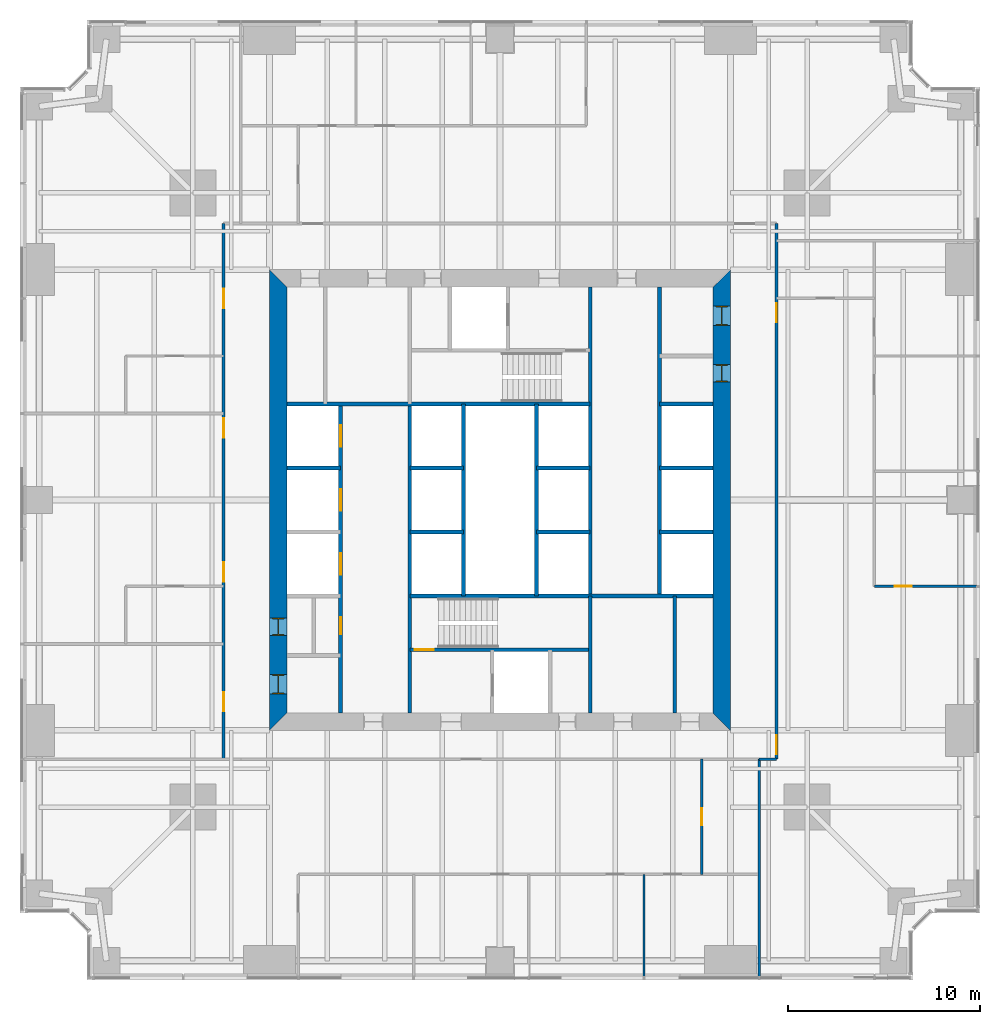
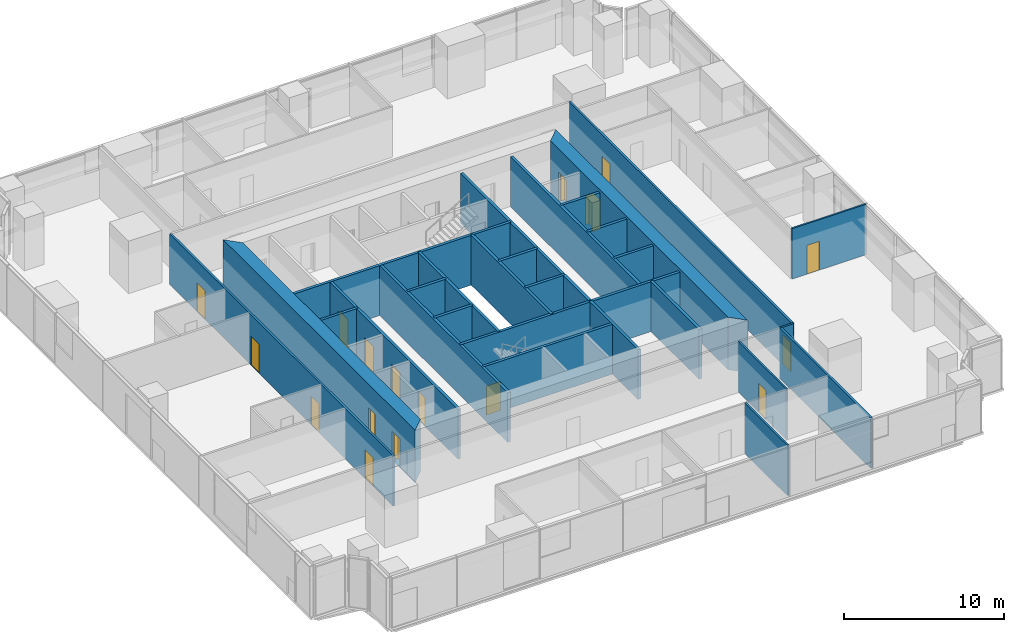
# One storey, part 10 of 14: 28 walls, 17 doors, 17 openings.
"""IFC4 building model written with IfcOpenShell, lengths in metres."""

from ifc_helpers import new_model, si_unit, direction, frame, frame_2d, origin, place, context, subcontext, project, spatial, polyline, rectangle, outline, extrude, material, layer, layer_set, type_object, element, fill, save


model = new_model("IFC4")

# Units and contexts
model_context = context("Model", 3, precision=1e-05, world=origin(), true_north=direction((0.0, 1.0)))
body_context = subcontext(model_context, "Body", "Model", "MODEL_VIEW")
ifc_project = project(units=[si_unit("LENGTHUNIT", "METRE"), si_unit("AREAUNIT", "SQUARE_METRE"), si_unit("VOLUMEUNIT", "CUBIC_METRE"), si_unit("PLANEANGLEUNIT", "RADIAN"), si_unit("MASSUNIT", "GRAM", prefix="KILO")], contexts=[model_context])

# Site, building, storey
site_placement = place(None, origin())
site = spatial("IfcSite", under=ifc_project, at=site_placement, CompositionType="ELEMENT")
building_placement = place(site_placement, origin())
building = spatial("IfcBuilding", under=site, at=building_placement, Name="Fenwick Lantern Interchange", CompositionType="ELEMENT")
storey_placement = place(building_placement, frame((0.0, 0.0, 83.0)))
storey = spatial("IfcBuildingStorey", under=building, at=storey_placement, Name="L19", CompositionType="ELEMENT", Elevation=83.0)

# Wall, openings, doors
ifc_material_1 = material(Name="Concrete masonry ASTM C90 Grade N", Category="masonry")
ifc_layer_1 = layer(ifc_material_1, 0.199951171875)
ifc_layer_set_1 = layer_set([ifc_layer_1], Name="Concrete masonry ASTM C90 Grade N")
wall_type_1 = type_object("IfcWallType", Name="CORE PARTITION 200", PredefinedType="PARTITIONING", material=ifc_layer_set_1)
wall_1_placement = place(storey_placement, frame((16.699951171875, 13.89990234375, 0.0), z_axis=(0.0, 0.0, 1.0), x_axis=(0.0, 1.0, 0.0)))
wall_1 = element("IfcWall", 1, at=wall_1_placement, inside=storey, type_object=wall_type_1, Name="L19/W/CORES/a", PredefinedType="PARTITIONING", context=body_context, shape_type="SweptSolid", body=[
    extrude(rectangle(XDim=16.10009765625, YDim=0.199951171875, at=frame_2d((8.050048828125, 0.0))), origin(), (0.0, 0.0, 1.0), 3.800048828125),
])
opening_1_placement = place(wall_1_placement, frame((4.10009765625, 0.0, 0.0)))
opening_1 = element("IfcOpeningElement", 2, at=opening_1_placement, cuts=wall_1, Name="Opening L19-D008", PredefinedType="OPENING", context=body_context, shape_type="SweptSolid", body=[
    extrude(rectangle(XDim=0.89990234375, YDim=2.199951171875, at=frame_2d((0.449951171875, 1.10009765625))), frame((0.0, 0.10986328125, 0.0), z_axis=(0.0, -1.0, 0.0), x_axis=(1.0, 0.0, 0.0)), (0.0, 0.0, 1.0), 0.219970703125),
])
opening_2_placement = place(wall_1_placement, frame((7.216552734375, 0.0, 0.0)))
opening_2 = element("IfcOpeningElement", 3, at=opening_2_placement, cuts=wall_1, Name="Opening LD-W1-1", PredefinedType="OPENING", context=body_context, shape_type="SweptSolid", body=[
    extrude(rectangle(XDim=1.10009765625, YDim=2.199951171875, at=frame_2d((0.550048828125, 1.10009765625))), frame((0.0, 0.10986328125, 0.0), z_axis=(0.0, -1.0, 0.0), x_axis=(1.0, 0.0, 0.0)), (0.0, 0.0, 1.0), 0.219970703125),
])
opening_3_placement = place(wall_1_placement, frame((10.550048828125, 0.0, 0.0)))
opening_3 = element("IfcOpeningElement", 4, at=opening_3_placement, cuts=wall_1, Name="Opening LD-W1-2", PredefinedType="OPENING", context=body_context, shape_type="SweptSolid", body=[
    extrude(rectangle(XDim=1.10009765625, YDim=2.199951171875, at=frame_2d((0.550048828125, 1.10009765625))), frame((0.0, 0.10986328125, 0.0), z_axis=(0.0, -1.0, 0.0), x_axis=(1.0, 0.0, 0.0)), (0.0, 0.0, 1.0), 0.219970703125),
])
opening_4_placement = place(wall_1_placement, frame((13.88330078125, 0.0, 0.0)))
opening_4 = element("IfcOpeningElement", 5, at=opening_4_placement, cuts=wall_1, Name="Opening LD-W1-3", PredefinedType="OPENING", context=body_context, shape_type="SweptSolid", body=[
    extrude(rectangle(XDim=1.10009765625, YDim=2.199951171875, at=frame_2d((0.550048828125, 1.10009765625))), frame((0.0, 0.10986328125, 0.0), z_axis=(0.0, -1.0, 0.0), x_axis=(1.0, 0.0, 0.0)), (0.0, 0.0, 1.0), 0.219970703125),
])
ifc_material_2 = material(Name="Steel door and frame", Category="steel")
door_type_1 = type_object("IfcDoorType", Name="LIFT LANDING DOOR 1100 X 2200", OperationType="DOUBLE_DOOR_SLIDING", PredefinedType="DOOR", material=ifc_material_2)
door_1_placement = place(opening_2_placement, origin())
door_1 = element("IfcDoor", 6, at=door_1_placement, inside=storey, type_object=door_type_1, Name="Lift landing door W1-1", OperationType="DOUBLE_DOOR_SLIDING", OverallHeight=2.199951171875, OverallWidth=1.10009765625, PredefinedType="DOOR", context=body_context, shape_type="SweptSolid", body=[
    extrude(rectangle(XDim=1.10009765625, YDim=2.199951171875, at=frame_2d((0.550048828125, 1.10009765625))), frame((0.0, 0.02490234375, 0.0), z_axis=(0.0, -1.0, 0.0), x_axis=(1.0, 0.0, 0.0)), (0.0, 0.0, 1.0), 0.050048828125),
])
fill(opening_2, door_1)
door_2_placement = place(opening_3_placement, origin())
door_2 = element("IfcDoor", 7, at=door_2_placement, inside=storey, type_object=door_type_1, Name="Lift landing door W1-2", OperationType="DOUBLE_DOOR_SLIDING", OverallHeight=2.199951171875, OverallWidth=1.10009765625, PredefinedType="DOOR", context=body_context, shape_type="SweptSolid", body=[
    extrude(rectangle(XDim=1.10009765625, YDim=2.199951171875, at=frame_2d((0.550048828125, 1.10009765625))), frame((0.0, 0.02490234375, 0.0), z_axis=(0.0, -1.0, 0.0), x_axis=(1.0, 0.0, 0.0)), (0.0, 0.0, 1.0), 0.050048828125),
])
fill(opening_3, door_2)
door_3_placement = place(opening_4_placement, origin())
door_3 = element("IfcDoor", 8, at=door_3_placement, inside=storey, type_object=door_type_1, Name="Lift landing door W1-3", OperationType="DOUBLE_DOOR_SLIDING", OverallHeight=2.199951171875, OverallWidth=1.10009765625, PredefinedType="DOOR", context=body_context, shape_type="SweptSolid", body=[
    extrude(rectangle(XDim=1.10009765625, YDim=2.199951171875, at=frame_2d((0.550048828125, 1.10009765625))), frame((0.0, 0.02490234375, 0.0), z_axis=(0.0, -1.0, 0.0), x_axis=(1.0, 0.0, 0.0)), (0.0, 0.0, 1.0), 0.050048828125),
])
fill(opening_4, door_3)
door_type_2 = type_object("IfcDoorType", Name="SERVICE DOOR 900 X 2200", OperationType="SINGLE_SWING_LEFT", PredefinedType="DOOR", material=ifc_material_2)
door_4_placement = place(opening_1_placement, origin())
door_4 = element("IfcDoor", 9, at=door_4_placement, inside=storey, type_object=door_type_2, Name="Service door", OperationType="SINGLE_SWING_LEFT", OverallHeight=2.199951171875, OverallWidth=0.89990234375, PredefinedType="DOOR", context=body_context, shape_type="SweptSolid", body=[
    extrude(rectangle(XDim=0.89990234375, YDim=2.199951171875, at=frame_2d((0.449951171875, 1.10009765625))), frame((0.0, 0.02490234375, 0.0), z_axis=(0.0, -1.0, 0.0), x_axis=(1.0, 0.0, 0.0)), (0.0, 0.0, 1.0), 0.050048828125),
])
fill(opening_1, door_4)

# Walls
for number, where, z_axis, x_axis, name in (
    (10, (13.89990234375, 26.666748046875, 0.0), (0.0, 0.0, 1.0), (1.0, 0.0, 0.0), "L19/W/CORES/d2"),
    (11, (20.300048828125, 23.333251953125, 0.0), (0.0, 0.0, 1.0), (1.0, 0.0, 0.0), "L19/W/CORES/e1"),
    (12, (20.300048828125, 26.666748046875, 0.0), (0.0, 0.0, 1.0), (1.0, 0.0, 0.0), "L19/W/CORES/e2"),
):
    element("IfcWall", number, at=place(storey_placement, frame(where, z_axis=z_axis, x_axis=x_axis)), inside=storey, type_object=wall_type_1, Name=name, PredefinedType="PARTITIONING", context=body_context, shape_type="SweptSolid", body=[
        extrude(rectangle(XDim=2.800048828125, YDim=0.199951171875, at=frame_2d((1.39990234375, 0.0))), origin(), (0.0, 0.0, 1.0), 3.800048828125),
    ])
wall_2_placement = place(storey_placement, frame((23.10009765625, 20.0, 0.0), z_axis=(0.0, 0.0, 1.0), x_axis=(0.0, 1.0, 0.0)))
element("IfcWall", 13, at=wall_2_placement, inside=storey, type_object=wall_type_1, Name="L19/W/CORES/e3", PredefinedType="PARTITIONING", context=body_context, shape_type="SweptSolid", body=[
    extrude(rectangle(XDim=10.0, YDim=0.199951171875, at=frame_2d((5.0, 0.0))), origin(), (0.0, 0.0, 1.0), 3.800048828125),
])
wall_3_placement = place(storey_placement, frame((34.10009765625, 13.89990234375, 0.0), z_axis=(0.0, 0.0, 1.0), x_axis=(0.0, 1.0, 0.0)))
element("IfcWall", 14, at=wall_3_placement, inside=storey, type_object=wall_type_1, Name="L19/W/CORES/i2", PredefinedType="PARTITIONING", context=body_context, shape_type="SweptSolid", body=[
    extrude(rectangle(XDim=6.10009765625, YDim=0.199951171875, at=frame_2d((3.050048828125, 0.0))), origin(), (0.0, 0.0, 1.0), 3.800048828125),
])
wall_4_placement = place(storey_placement, frame((33.300048828125, 36.10009765625, 0.0), z_axis=(0.0, 0.0, 1.0), x_axis=(0.0, -1.0, 0.0)))
element("IfcWall", 15, at=wall_4_placement, inside=storey, type_object=wall_type_1, Name="L19/W/COREN/a", PredefinedType="PARTITIONING", context=body_context, shape_type="SweptSolid", body=[
    extrude(rectangle(XDim=16.10009765625, YDim=0.199951171875, at=frame_2d((8.050048828125, 0.0))), origin(), (0.0, 0.0, 1.0), 3.800048828125),
])
for number, where, z_axis, x_axis, name in (
    (16, (36.10009765625, 30.0, 0.0), (0.0, 0.0, 1.0), (-1.0, 0.0, 0.0), "L19/W/COREN/c2"),
    (17, (36.10009765625, 26.666748046875, 0.0), (0.0, 0.0, 1.0), (-1.0, 0.0, 0.0), "L19/W/COREN/d1"),
    (18, (36.10009765625, 23.333251953125, 0.0), (0.0, 0.0, 1.0), (-1.0, 0.0, 0.0), "L19/W/COREN/d2"),
    (19, (29.699951171875, 26.666748046875, 0.0), (0.0, 0.0, 1.0), (-1.0, 0.0, 0.0), "L19/W/COREN/e1"),
    (20, (29.699951171875, 23.333251953125, 0.0), (0.0, 0.0, 1.0), (-1.0, 0.0, 0.0), "L19/W/COREN/e2"),
):
    element("IfcWall", number, at=place(storey_placement, frame(where, z_axis=z_axis, x_axis=x_axis)), inside=storey, type_object=wall_type_1, Name=name, PredefinedType="PARTITIONING", context=body_context, shape_type="SweptSolid", body=[
        extrude(rectangle(XDim=2.800048828125, YDim=0.199951171875, at=frame_2d((1.39990234375, 0.0))), origin(), (0.0, 0.0, 1.0), 3.800048828125),
    ])
wall_5_placement = place(storey_placement, frame((26.89990234375, 30.0, 0.0), z_axis=(0.0, 0.0, 1.0), x_axis=(0.0, -1.0, 0.0)))
element("IfcWall", 21, at=wall_5_placement, inside=storey, type_object=wall_type_1, Name="L19/W/COREN/e3", PredefinedType="PARTITIONING", context=body_context, shape_type="SweptSolid", body=[
    extrude(rectangle(XDim=10.0, YDim=0.199951171875, at=frame_2d((5.0, 0.0))), origin(), (0.0, 0.0, 1.0), 3.800048828125),
])

# Wall, openings, doors
ifc_material_3 = material(Name="Concrete f'c 70 MPa", Category="concrete")
ifc_layer_2 = layer(ifc_material_3, 0.89990234375)
ifc_layer_set_2 = layer_set([ifc_layer_2], Name="CORE WALL 900")
wall_type_2 = type_object("IfcWallType", Name="CORE WALL 900", PredefinedType="SHEAR", material=ifc_layer_set_2)
wall_6_placement = place(storey_placement, frame((36.550048828125, 13.89990234375, 0.0), z_axis=(0.0, 0.0, 1.0), x_axis=(0.0, 1.0, 0.0)))
wall_6 = element("IfcWall", 22, at=wall_6_placement, inside=storey, type_object=wall_type_2, Name="L19/CORE/E", PredefinedType="SHEAR", context=body_context, shape_type="SweptSolid", body=[
    extrude(outline(polyline([(-0.89990234375, -0.449951171875), (23.10009765625, -0.449951171875), (22.199951171875, 0.449951171875), (0.0, 0.449951171875), (-0.89990234375, -0.449951171875)])), origin(), (0.0, 0.0, 1.0), 4.0),
])
opening_5_placement = place(wall_6_placement, frame((20.199951171875, 0.0, 0.0)))
opening_5 = element("IfcOpeningElement", 23, at=opening_5_placement, cuts=wall_6, Name="Opening L19-D016", PredefinedType="OPENING", context=body_context, shape_type="SweptSolid", body=[
    extrude(rectangle(XDim=1.0, YDim=2.199951171875, at=frame_2d((0.5, 1.10009765625))), frame((0.0, 0.4599609375, 0.0), z_axis=(0.0, -1.0, 0.0), x_axis=(1.0, 0.0, 0.0)), (0.0, 0.0, 1.0), 0.919921875),
])
opening_6_placement = place(wall_6_placement, frame((17.25, 0.0, 0.0)))
opening_6 = element("IfcOpeningElement", 24, at=opening_6_placement, cuts=wall_6, Name="Opening L19-D017", PredefinedType="OPENING", context=body_context, shape_type="SweptSolid", body=[
    extrude(rectangle(XDim=0.89990234375, YDim=2.199951171875, at=frame_2d((0.449951171875, 1.10009765625))), frame((0.0, 0.4599609375, 0.0), z_axis=(0.0, -1.0, 0.0), x_axis=(1.0, 0.0, 0.0)), (0.0, 0.0, 1.0), 0.919921875),
])
door_5_placement = place(opening_6_placement, origin())
door_5 = element("IfcDoor", 25, at=door_5_placement, inside=storey, type_object=door_type_2, Name="Service door", OperationType="SINGLE_SWING_RIGHT", OverallHeight=2.199951171875, OverallWidth=0.89990234375, PredefinedType="DOOR", context=body_context, shape_type="SweptSolid", body=[
    extrude(rectangle(XDim=0.89990234375, YDim=2.199951171875, at=frame_2d((0.449951171875, 1.10009765625))), frame((0.0, 0.02490234375, 0.0), z_axis=(0.0, -1.0, 0.0), x_axis=(1.0, 0.0, 0.0)), (0.0, 0.0, 1.0), 0.050048828125),
    extrude(outline(polyline([(0.0, 0.0), (0.0400390625, 0.0), (0.0400390625, 2.159912109375), (0.85986328125, 2.159912109375), (0.85986328125, 0.0), (0.89990234375, 0.0), (0.89990234375, 2.199951171875), (0.0, 2.199951171875), (0.0, 0.0)])), frame((0.0, 0.300048828125, 0.0), z_axis=(0.0, -1.0, 0.0), x_axis=(1.0, 0.0, 0.0)), (0.0, 0.0, 1.0), 0.60009765625),
])
fill(opening_6, door_5)
ifc_material_4 = material(Name="Hardwood door and steel frame", Category="steel")
door_type_3 = type_object("IfcDoorType", Name="WC DOOR 1000 X 2200", OperationType="SINGLE_SWING_LEFT", PredefinedType="DOOR", material=ifc_material_4)
door_6_placement = place(opening_5_placement, origin())
door_6 = element("IfcDoor", 26, at=door_6_placement, inside=storey, type_object=door_type_3, Name="Wc door", OperationType="SINGLE_SWING_RIGHT", OverallHeight=2.199951171875, OverallWidth=1.0, PredefinedType="DOOR", context=body_context, shape_type="SweptSolid", body=[
    extrude(rectangle(XDim=1.0, YDim=2.199951171875, at=frame_2d((0.5, 1.10009765625))), frame((0.0, 0.02490234375, 0.0), z_axis=(0.0, -1.0, 0.0), x_axis=(1.0, 0.0, 0.0)), (0.0, 0.0, 1.0), 0.050048828125),
    extrude(outline(polyline([(0.0, 0.0), (0.0400390625, 0.0), (0.0400390625, 2.159912109375), (0.9599609375, 2.159912109375), (0.9599609375, 0.0), (1.0, 0.0), (1.0, 2.199951171875), (0.0, 2.199951171875), (0.0, 0.0)])), frame((0.0, 0.300048828125, 0.0), z_axis=(0.0, -1.0, 0.0), x_axis=(1.0, 0.0, 0.0)), (0.0, 0.0, 1.0), 0.60009765625),
])
fill(opening_5, door_6)

wall_7_placement = place(storey_placement, frame((13.449951171875, 36.10009765625, 0.0), z_axis=(0.0, 0.0, 1.0), x_axis=(0.0, -1.0, 0.0)))
wall_7 = element("IfcWall", 27, at=wall_7_placement, inside=storey, type_object=wall_type_2, Name="L19/CORE/W", PredefinedType="SHEAR", context=body_context, shape_type="SweptSolid", body=[
    extrude(outline(polyline([(-0.89990234375, -0.449951171875), (23.10009765625, -0.449951171875), (22.199951171875, 0.449951171875), (0.0, 0.449951171875), (-0.89990234375, -0.449951171875)])), origin(), (0.0, 0.0, 1.0), 4.0),
])
opening_7_placement = place(wall_7_placement, frame((20.199951171875, 0.0, 0.0)))
opening_7 = element("IfcOpeningElement", 28, at=opening_7_placement, cuts=wall_7, Name="Opening L19-D007", PredefinedType="OPENING", context=body_context, shape_type="SweptSolid", body=[
    extrude(rectangle(XDim=1.0, YDim=2.199951171875, at=frame_2d((0.5, 1.10009765625))), frame((0.0, 0.4599609375, 0.0), z_axis=(0.0, -1.0, 0.0), x_axis=(1.0, 0.0, 0.0)), (0.0, 0.0, 1.0), 0.919921875),
])
opening_8_placement = place(wall_7_placement, frame((17.25, 0.0, 0.0)))
opening_8 = element("IfcOpeningElement", 29, at=opening_8_placement, cuts=wall_7, Name="Opening L19-D009", PredefinedType="OPENING", context=body_context, shape_type="SweptSolid", body=[
    extrude(rectangle(XDim=0.89990234375, YDim=2.199951171875, at=frame_2d((0.449951171875, 1.10009765625))), frame((0.0, 0.4599609375, 0.0), z_axis=(0.0, -1.0, 0.0), x_axis=(1.0, 0.0, 0.0)), (0.0, 0.0, 1.0), 0.919921875),
])
door_7_placement = place(opening_8_placement, origin())
door_7 = element("IfcDoor", 30, at=door_7_placement, inside=storey, type_object=door_type_2, Name="Service door", OperationType="SINGLE_SWING_RIGHT", OverallHeight=2.199951171875, OverallWidth=0.89990234375, PredefinedType="DOOR", context=body_context, shape_type="SweptSolid", body=[
    extrude(rectangle(XDim=0.89990234375, YDim=2.199951171875, at=frame_2d((0.449951171875, 1.10009765625))), frame((0.0, 0.02490234375, 0.0), z_axis=(0.0, -1.0, 0.0), x_axis=(1.0, 0.0, 0.0)), (0.0, 0.0, 1.0), 0.050048828125),
    extrude(outline(polyline([(0.0, 0.0), (0.0400390625, 0.0), (0.0400390625, 2.159912109375), (0.85986328125, 2.159912109375), (0.85986328125, 0.0), (0.89990234375, 0.0), (0.89990234375, 2.199951171875), (0.0, 2.199951171875), (0.0, 0.0)])), frame((0.0, 0.300048828125, 0.0), z_axis=(0.0, -1.0, 0.0), x_axis=(1.0, 0.0, 0.0)), (0.0, 0.0, 1.0), 0.60009765625),
])
fill(opening_8, door_7)
door_8_placement = place(opening_7_placement, origin())
door_8 = element("IfcDoor", 31, at=door_8_placement, inside=storey, type_object=door_type_3, Name="Wc door", OperationType="SINGLE_SWING_LEFT", OverallHeight=2.199951171875, OverallWidth=1.0, PredefinedType="DOOR", context=body_context, shape_type="SweptSolid", body=[
    extrude(rectangle(XDim=1.0, YDim=2.199951171875, at=frame_2d((0.5, 1.10009765625))), frame((0.0, 0.02490234375, 0.0), z_axis=(0.0, -1.0, 0.0), x_axis=(1.0, 0.0, 0.0)), (0.0, 0.0, 1.0), 0.050048828125),
    extrude(outline(polyline([(0.0, 0.0), (0.0400390625, 0.0), (0.0400390625, 2.159912109375), (0.9599609375, 2.159912109375), (0.9599609375, 0.0), (1.0, 0.0), (1.0, 2.199951171875), (0.0, 2.199951171875), (0.0, 0.0)])), frame((0.0, 0.300048828125, 0.0), z_axis=(0.0, -1.0, 0.0), x_axis=(1.0, 0.0, 0.0)), (0.0, 0.0, 1.0), 0.60009765625),
])
fill(opening_7, door_8)

# Wall
ifc_material_5 = material(Name="Gypsum board on steel studs, 1 hour", Category="steel")
ifc_layer_3 = layer(ifc_material_5, 0.14990234375)
ifc_layer_set_3 = layer_set([ifc_layer_3], Name="CORRIDOR WALL 150")
wall_type_3 = type_object("IfcWallType", Name="CORRIDOR WALL 150", PredefinedType="PARTITIONING", material=ifc_layer_set_3)
wall_8_placement = place(storey_placement, frame((38.5, 11.5, 0.0), z_axis=(0.0, 0.0, 1.0), x_axis=(1.0, 0.0, 0.0)))
element("IfcWall", 32, at=wall_8_placement, inside=storey, type_object=wall_type_3, Name="L19/W/OFF/E/CWJ", PredefinedType="PARTITIONING", context=body_context, shape_type="SweptSolid", body=[
    extrude(rectangle(XDim=0.89990234375, YDim=0.14990234375, at=frame_2d((0.449951171875, 0.0))), origin(), (0.0, 0.0, 1.0), 3.85009765625),
])

# Wall, openings, doors
wall_9_placement = place(storey_placement, frame((39.39990234375, 11.5, 0.0), z_axis=(0.0, 0.0, 1.0), x_axis=(0.0, 1.0, 0.0)))
wall_9 = element("IfcWall", 33, at=wall_9_placement, inside=storey, type_object=wall_type_3, Name="L19/W/OFF/E/CW2", PredefinedType="PARTITIONING", context=body_context, shape_type="SweptSolid", body=[
    extrude(rectangle(XDim=27.89990234375, YDim=0.14990234375, at=frame_2d((13.949951171875, 0.0))), origin(), (0.0, 0.0, 1.0), 3.85009765625),
])
opening_9_placement = place(wall_9_placement, frame((0.25, 0.0, 0.0)))
opening_9 = element("IfcOpeningElement", 34, at=opening_9_placement, cuts=wall_9, Name="Opening L19-D024", PredefinedType="OPENING", context=body_context, shape_type="SweptSolid", body=[
    extrude(rectangle(XDim=1.0, YDim=2.199951171875, at=frame_2d((0.5, 1.10009765625))), frame((0.0, 0.0849609375, 0.0), z_axis=(0.0, -1.0, 0.0), x_axis=(1.0, 0.0, 0.0)), (0.0, 0.0, 1.0), 0.169921875),
])
opening_10_placement = place(wall_9_placement, frame((22.75, 0.0, 0.0)))
opening_10 = element("IfcOpeningElement", 35, at=opening_10_placement, cuts=wall_9, Name="Opening L19-D025", PredefinedType="OPENING", context=body_context, shape_type="SweptSolid", body=[
    extrude(rectangle(XDim=1.0, YDim=2.199951171875, at=frame_2d((0.5, 1.10009765625))), frame((0.0, 0.0849609375, 0.0), z_axis=(0.0, -1.0, 0.0), x_axis=(1.0, 0.0, 0.0)), (0.0, 0.0, 1.0), 0.169921875),
])
door_type_4 = type_object("IfcDoorType", Name="SUITE ENTRANCE DOOR 1000 X 2200", OperationType="SINGLE_SWING_LEFT", PredefinedType="DOOR", material=ifc_material_2)
door_9_placement = place(opening_9_placement, origin())
door_9 = element("IfcDoor", 36, at=door_9_placement, inside=storey, type_object=door_type_4, Name="Suite entrance door", OperationType="SINGLE_SWING_LEFT", OverallHeight=2.199951171875, OverallWidth=1.0, PredefinedType="DOOR", context=body_context, shape_type="SweptSolid", body=[
    extrude(rectangle(XDim=1.0, YDim=2.199951171875, at=frame_2d((0.5, 1.10009765625))), frame((0.0, 0.02490234375, 0.0), z_axis=(0.0, -1.0, 0.0), x_axis=(1.0, 0.0, 0.0)), (0.0, 0.0, 1.0), 0.050048828125),
])
fill(opening_9, door_9)
door_10_placement = place(opening_10_placement, origin())
door_10 = element("IfcDoor", 37, at=door_10_placement, inside=storey, type_object=door_type_4, Name="Suite entrance door", OperationType="SINGLE_SWING_RIGHT", OverallHeight=2.199951171875, OverallWidth=1.0, PredefinedType="DOOR", context=body_context, shape_type="SweptSolid", body=[
    extrude(rectangle(XDim=1.0, YDim=2.199951171875, at=frame_2d((0.5, 1.10009765625))), frame((0.0, 0.02490234375, 0.0), z_axis=(0.0, -1.0, 0.0), x_axis=(1.0, 0.0, 0.0)), (0.0, 0.0, 1.0), 0.050048828125),
])
fill(opening_10, door_10)

wall_10_placement = place(storey_placement, frame((10.60009765625, 39.39990234375, 0.0), z_axis=(0.0, 0.0, 1.0), x_axis=(0.0, -1.0, 0.0)))
wall_10 = element("IfcWall", 38, at=wall_10_placement, inside=storey, type_object=wall_type_3, Name="L19/W/OFF/W/CW2", PredefinedType="PARTITIONING", context=body_context, shape_type="SweptSolid", body=[
    extrude(rectangle(XDim=27.89990234375, YDim=0.14990234375, at=frame_2d((13.949951171875, 0.0))), origin(), (0.0, 0.0, 1.0), 3.85009765625),
])
opening_11_placement = place(wall_10_placement, frame((3.39990234375, 0.0, 0.0)))
opening_11 = element("IfcOpeningElement", 39, at=opening_11_placement, cuts=wall_10, Name="Opening L19-D036", PredefinedType="OPENING", context=body_context, shape_type="SweptSolid", body=[
    extrude(rectangle(XDim=1.0, YDim=2.199951171875, at=frame_2d((0.5, 1.10009765625))), frame((0.0, 0.0849609375, 0.0), z_axis=(0.0, -1.0, 0.0), x_axis=(1.0, 0.0, 0.0)), (0.0, 0.0, 1.0), 0.169921875),
])
opening_12_placement = place(wall_10_placement, frame((10.14990234375, 0.0, 0.0)))
opening_12 = element("IfcOpeningElement", 40, at=opening_12_placement, cuts=wall_10, Name="Opening L19-D038", PredefinedType="OPENING", context=body_context, shape_type="SweptSolid", body=[
    extrude(rectangle(XDim=1.0, YDim=2.199951171875, at=frame_2d((0.5, 1.10009765625))), frame((0.0, 0.0849609375, 0.0), z_axis=(0.0, -1.0, 0.0), x_axis=(1.0, 0.0, 0.0)), (0.0, 0.0, 1.0), 0.169921875),
])
opening_13_placement = place(wall_10_placement, frame((17.64990234375, 0.0, 0.0)))
opening_13 = element("IfcOpeningElement", 41, at=opening_13_placement, cuts=wall_10, Name="Opening L19-D039", PredefinedType="OPENING", context=body_context, shape_type="SweptSolid", body=[
    extrude(rectangle(XDim=1.0, YDim=2.199951171875, at=frame_2d((0.5, 1.10009765625))), frame((0.0, 0.0849609375, 0.0), z_axis=(0.0, -1.0, 0.0), x_axis=(1.0, 0.0, 0.0)), (0.0, 0.0, 1.0), 0.169921875),
])
opening_14_placement = place(wall_10_placement, frame((24.39990234375, 0.0, 0.0)))
opening_14 = element("IfcOpeningElement", 42, at=opening_14_placement, cuts=wall_10, Name="Opening L19-D041", PredefinedType="OPENING", context=body_context, shape_type="SweptSolid", body=[
    extrude(rectangle(XDim=1.0, YDim=2.199951171875, at=frame_2d((0.5, 1.10009765625))), frame((0.0, 0.0849609375, 0.0), z_axis=(0.0, -1.0, 0.0), x_axis=(1.0, 0.0, 0.0)), (0.0, 0.0, 1.0), 0.169921875),
])
door_11_placement = place(opening_11_placement, frame((1.0, 0.0, 0.0), z_axis=(0.0, 0.0, 1.0), x_axis=(-1.0, 0.0, 0.0)))
door_11 = element("IfcDoor", 43, at=door_11_placement, inside=storey, type_object=door_type_4, Name="Suite entrance door", OperationType="SINGLE_SWING_LEFT", OverallHeight=2.199951171875, OverallWidth=1.0, PredefinedType="DOOR", context=body_context, shape_type="SweptSolid", body=[
    extrude(rectangle(XDim=1.0, YDim=2.199951171875, at=frame_2d((0.5, 1.10009765625))), frame((0.0, 0.02490234375, 0.0), z_axis=(0.0, -1.0, 0.0), x_axis=(1.0, 0.0, 0.0)), (0.0, 0.0, 1.0), 0.050048828125),
])
fill(opening_11, door_11)
door_12_placement = place(opening_12_placement, origin())
door_12 = element("IfcDoor", 44, at=door_12_placement, inside=storey, type_object=door_type_4, Name="Suite entrance door", OperationType="SINGLE_SWING_LEFT", OverallHeight=2.199951171875, OverallWidth=1.0, PredefinedType="DOOR", context=body_context, shape_type="SweptSolid", body=[
    extrude(rectangle(XDim=1.0, YDim=2.199951171875, at=frame_2d((0.5, 1.10009765625))), frame((0.0, 0.02490234375, 0.0), z_axis=(0.0, -1.0, 0.0), x_axis=(1.0, 0.0, 0.0)), (0.0, 0.0, 1.0), 0.050048828125),
])
fill(opening_12, door_12)
door_13_placement = place(opening_13_placement, origin())
door_13 = element("IfcDoor", 45, at=door_13_placement, inside=storey, type_object=door_type_4, Name="Suite entrance door", OperationType="SINGLE_SWING_RIGHT", OverallHeight=2.199951171875, OverallWidth=1.0, PredefinedType="DOOR", context=body_context, shape_type="SweptSolid", body=[
    extrude(rectangle(XDim=1.0, YDim=2.199951171875, at=frame_2d((0.5, 1.10009765625))), frame((0.0, 0.02490234375, 0.0), z_axis=(0.0, -1.0, 0.0), x_axis=(1.0, 0.0, 0.0)), (0.0, 0.0, 1.0), 0.050048828125),
])
fill(opening_13, door_13)
door_14_placement = place(opening_14_placement, frame((1.0, 0.0, 0.0), z_axis=(0.0, 0.0, 1.0), x_axis=(-1.0, 0.0, 0.0)))
door_14 = element("IfcDoor", 46, at=door_14_placement, inside=storey, type_object=door_type_4, Name="Suite entrance door", OperationType="SINGLE_SWING_RIGHT", OverallHeight=2.199951171875, OverallWidth=1.0, PredefinedType="DOOR", context=body_context, shape_type="SweptSolid", body=[
    extrude(rectangle(XDim=1.0, YDim=2.199951171875, at=frame_2d((0.5, 1.10009765625))), frame((0.0, 0.02490234375, 0.0), z_axis=(0.0, -1.0, 0.0), x_axis=(1.0, 0.0, 0.0)), (0.0, 0.0, 1.0), 0.050048828125),
])
fill(opening_14, door_14)

# Wall
ifc_material_6 = material(Name="Gypsum board on steel studs, acoustic", Category="steel")
ifc_layer_4 = layer(ifc_material_6, 0.125)
ifc_layer_set_4 = layer_set([ifc_layer_4], Name="OFFICE PARTITION 125")
wall_type_4 = type_object("IfcWallType", Name="OFFICE PARTITION 125", PredefinedType="PARTITIONING", material=ifc_layer_set_4)
wall_11_placement = place(storey_placement, frame((32.5, 0.14990234375, 0.0), z_axis=(0.0, 0.0, 1.0), x_axis=(0.0, 1.0, 0.0)))
element("IfcWall", 47, at=wall_11_placement, inside=storey, type_object=wall_type_4, Name="L19/W/OFF/S/X325-1", PredefinedType="PARTITIONING", context=body_context, shape_type="SweptSolid", body=[
    extrude(rectangle(XDim=5.35009765625, YDim=0.125, at=frame_2d((2.675048828125, 0.0))), origin(), (0.0, 0.0, 1.0), 3.85009765625),
])

# Wall, opening, door
wall_12_placement = place(storey_placement, frame((35.5, 5.5, 0.0), z_axis=(0.0, 0.0, 1.0), x_axis=(0.0, 1.0, 0.0)))
wall_12 = element("IfcWall", 48, at=wall_12_placement, inside=storey, type_object=wall_type_4, Name="L19/W/OFF/S/X355-1", PredefinedType="PARTITIONING", context=body_context, shape_type="SweptSolid", body=[
    extrude(rectangle(XDim=6.0, YDim=0.125, at=frame_2d((3.0, 0.0))), origin(), (0.0, 0.0, 1.0), 3.85009765625),
])
opening_15_placement = place(wall_12_placement, frame((2.550048828125, 0.0, 0.0)))
opening_15 = element("IfcOpeningElement", 49, at=opening_15_placement, cuts=wall_12, Name="Opening L19-D023", PredefinedType="OPENING", context=body_context, shape_type="SweptSolid", body=[
    extrude(rectangle(XDim=0.89990234375, YDim=2.199951171875, at=frame_2d((0.449951171875, 1.10009765625))), frame((0.0, 0.072509765625, 0.0), z_axis=(0.0, -1.0, 0.0), x_axis=(1.0, 0.0, 0.0)), (0.0, 0.0, 1.0), 0.14501953125),
])
door_type_5 = type_object("IfcDoorType", Name="OFFICE DOOR 900 X 2200", OperationType="SINGLE_SWING_LEFT", PredefinedType="DOOR", material=ifc_material_4)
door_15_placement = place(opening_15_placement, frame((0.89990234375, 0.0, 0.0), z_axis=(0.0, 0.0, 1.0), x_axis=(-1.0, 0.0, 0.0)))
door_15 = element("IfcDoor", 50, at=door_15_placement, inside=storey, type_object=door_type_5, Name="Office door", OperationType="SINGLE_SWING_RIGHT", OverallHeight=2.199951171875, OverallWidth=0.89990234375, PredefinedType="DOOR", context=body_context, shape_type="SweptSolid", body=[
    extrude(rectangle(XDim=0.89990234375, YDim=2.199951171875, at=frame_2d((0.449951171875, 1.10009765625))), frame((0.0, 0.02490234375, 0.0), z_axis=(0.0, -1.0, 0.0), x_axis=(1.0, 0.0, 0.0)), (0.0, 0.0, 1.0), 0.050048828125),
])
fill(opening_15, door_15)

wall_13_placement = place(storey_placement, frame((49.85009765625, 20.5, 0.0), z_axis=(0.0, 0.0, 1.0), x_axis=(-1.0, 0.0, 0.0)))
wall_13 = element("IfcWall", 51, at=wall_13_placement, inside=storey, type_object=wall_type_4, Name="L19/W/OFF/E/X205-1", PredefinedType="PARTITIONING", context=body_context, shape_type="SweptSolid", body=[
    extrude(rectangle(XDim=5.35009765625, YDim=0.125, at=frame_2d((2.675048828125, 0.0))), origin(), (0.0, 0.0, 1.0), 3.85009765625),
])
opening_16_placement = place(wall_13_placement, frame((3.39990234375, 0.0, 0.0)))
opening_16 = element("IfcOpeningElement", 52, at=opening_16_placement, cuts=wall_13, Name="Opening L19-D026", PredefinedType="OPENING", context=body_context, shape_type="SweptSolid", body=[
    extrude(rectangle(XDim=0.89990234375, YDim=2.199951171875, at=frame_2d((0.449951171875, 1.10009765625))), frame((0.0, 0.072509765625, 0.0), z_axis=(0.0, -1.0, 0.0), x_axis=(1.0, 0.0, 0.0)), (0.0, 0.0, 1.0), 0.14501953125),
])
door_16_placement = place(opening_16_placement, frame((0.89990234375, 0.0, 0.0), z_axis=(0.0, 0.0, 1.0), x_axis=(-1.0, 0.0, 0.0)))
door_16 = element("IfcDoor", 53, at=door_16_placement, inside=storey, type_object=door_type_5, Name="Office door", OperationType="SINGLE_SWING_LEFT", OverallHeight=2.199951171875, OverallWidth=0.89990234375, PredefinedType="DOOR", context=body_context, shape_type="SweptSolid", body=[
    extrude(rectangle(XDim=0.89990234375, YDim=2.199951171875, at=frame_2d((0.449951171875, 1.10009765625))), frame((0.0, 0.02490234375, 0.0), z_axis=(0.0, -1.0, 0.0), x_axis=(1.0, 0.0, 0.0)), (0.0, 0.0, 1.0), 0.050048828125),
])
fill(opening_16, door_16)

# Wall
ifc_material_7 = material(Name="Concrete f'c 45 MPa", Category="concrete")
ifc_layer_5 = layer(ifc_material_7, 0.199951171875)
ifc_layer_set_5 = layer_set([ifc_layer_5], Name="STAIR CORE WALL 200")
wall_type_5 = type_object("IfcWallType", Name="STAIR CORE WALL 200", PredefinedType="SOLIDWALL", material=ifc_layer_set_5)
wall_14_placement = place(storey_placement, frame((20.300048828125, 13.89990234375, 0.0), z_axis=(0.0, 0.0, 1.0), x_axis=(0.0, 1.0, 0.0)))
element("IfcWall", 54, at=wall_14_placement, inside=storey, type_object=wall_type_5, Name="L19/W/CORES/b", PredefinedType="SOLIDWALL", context=body_context, shape_type="SweptSolid", body=[
    extrude(rectangle(XDim=16.10009765625, YDim=0.199951171875, at=frame_2d((8.050048828125, 0.0))), origin(), (0.0, 0.0, 1.0), 3.800048828125),
])

# Wall, opening, door
wall_15_placement = place(storey_placement, frame((20.300048828125, 17.199951171875, 0.0), z_axis=(0.0, 0.0, 1.0), x_axis=(1.0, 0.0, 0.0)))
wall_15 = element("IfcWall", 55, at=wall_15_placement, inside=storey, type_object=wall_type_5, Name="L19/W/CORES/g1", PredefinedType="SOLIDWALL", context=body_context, shape_type="SweptSolid", body=[
    extrude(rectangle(XDim=9.39990234375, YDim=0.199951171875, at=frame_2d((4.699951171875, 0.0))), origin(), (0.0, 0.0, 1.0), 3.800048828125),
])
opening_17_placement = place(wall_15_placement, frame((0.25, 0.0, 0.0)))
opening_17 = element("IfcOpeningElement", 56, at=opening_17_placement, cuts=wall_15, Name="Opening L19-D003", PredefinedType="OPENING", context=body_context, shape_type="SweptSolid", body=[
    extrude(rectangle(XDim=1.0, YDim=2.199951171875, at=frame_2d((0.5, 1.10009765625))), frame((0.0, 0.10986328125, 0.0), z_axis=(0.0, -1.0, 0.0), x_axis=(1.0, 0.0, 0.0)), (0.0, 0.0, 1.0), 0.219970703125),
])
door_type_6 = type_object("IfcDoorType", Name="STAIR DOOR 1000 X 2200", OperationType="SINGLE_SWING_LEFT", PredefinedType="DOOR", material=ifc_material_2)
door_17_placement = place(opening_17_placement, origin())
door_17 = element("IfcDoor", 57, at=door_17_placement, inside=storey, type_object=door_type_6, Name="Stair door", OperationType="SINGLE_SWING_LEFT", OverallHeight=2.199951171875, OverallWidth=1.0, PredefinedType="DOOR", context=body_context, shape_type="SweptSolid", body=[
    extrude(rectangle(XDim=1.0, YDim=2.199951171875, at=frame_2d((0.5, 1.10009765625))), frame((0.0, 0.02490234375, 0.0), z_axis=(0.0, -1.0, 0.0), x_axis=(1.0, 0.0, 0.0)), (0.0, 0.0, 1.0), 0.050048828125),
])
fill(opening_17, door_17)

# Walls
wall_16_placement = place(storey_placement, frame((20.300048828125, 20.0, 0.0), z_axis=(0.0, 0.0, 1.0), x_axis=(1.0, 0.0, 0.0)))
element("IfcWall", 58, at=wall_16_placement, inside=storey, type_object=wall_type_5, Name="L19/W/CORES/g2", PredefinedType="SOLIDWALL", context=body_context, shape_type="SweptSolid", body=[
    extrude(rectangle(XDim=15.800048828125, YDim=0.199951171875, at=frame_2d((7.89990234375, 0.0))), origin(), (0.0, 0.0, 1.0), 3.800048828125),
])
wall_17_placement = place(storey_placement, frame((29.699951171875, 13.89990234375, 0.0), z_axis=(0.0, 0.0, 1.0), x_axis=(0.0, 1.0, 0.0)))
element("IfcWall", 59, at=wall_17_placement, inside=storey, type_object=wall_type_5, Name="L19/W/CORES/i1", PredefinedType="SOLIDWALL", context=body_context, shape_type="SweptSolid", body=[
    extrude(rectangle(XDim=6.10009765625, YDim=0.199951171875, at=frame_2d((3.050048828125, 0.0))), origin(), (0.0, 0.0, 1.0), 3.800048828125),
])
wall_18_placement = place(storey_placement, frame((29.699951171875, 36.10009765625, 0.0), z_axis=(0.0, 0.0, 1.0), x_axis=(0.0, -1.0, 0.0)))
element("IfcWall", 60, at=wall_18_placement, inside=storey, type_object=wall_type_5, Name="L19/W/COREN/b", PredefinedType="SOLIDWALL", context=body_context, shape_type="SweptSolid", body=[
    extrude(rectangle(XDim=16.10009765625, YDim=0.199951171875, at=frame_2d((8.050048828125, 0.0))), origin(), (0.0, 0.0, 1.0), 3.800048828125),
])
wall_19_placement = place(storey_placement, frame((29.699951171875, 30.0, 0.0), z_axis=(0.0, 0.0, 1.0), x_axis=(-1.0, 0.0, 0.0)))
element("IfcWall", 61, at=wall_19_placement, inside=storey, type_object=wall_type_5, Name="L19/W/COREN/g2", PredefinedType="SOLIDWALL", context=body_context, shape_type="SweptSolid", body=[
    extrude(rectangle(XDim=15.800048828125, YDim=0.199951171875, at=frame_2d((7.89990234375, 0.0))), origin(), (0.0, 0.0, 1.0), 3.800048828125),
])
ifc_material_8 = material(Name="Gypsum board on steel studs, 1 hour acoustic", Category="steel")
ifc_layer_6 = layer(ifc_material_8, 0.14990234375)
ifc_layer_set_6 = layer_set([ifc_layer_6], Name="TENANT WALL 150")
wall_type_6 = type_object("IfcWallType", Name="TENANT WALL 150", PredefinedType="PARTITIONING", material=ifc_layer_set_6)
wall_20_placement = place(storey_placement, frame((38.5, 0.14990234375, 0.0), z_axis=(0.0, 0.0, 1.0), x_axis=(0.0, 1.0, 0.0)))
element("IfcWall", 62, at=wall_20_placement, inside=storey, type_object=wall_type_6, Name="L19/W/OFF/E/BACK", PredefinedType="PARTITIONING", context=body_context, shape_type="SweptSolid", body=[
    extrude(rectangle(XDim=11.35009765625, YDim=0.14990234375, at=frame_2d((5.675048828125, 0.0))), origin(), (0.0, 0.0, 1.0), 3.85009765625),
])

save(model, "model.ifc")
